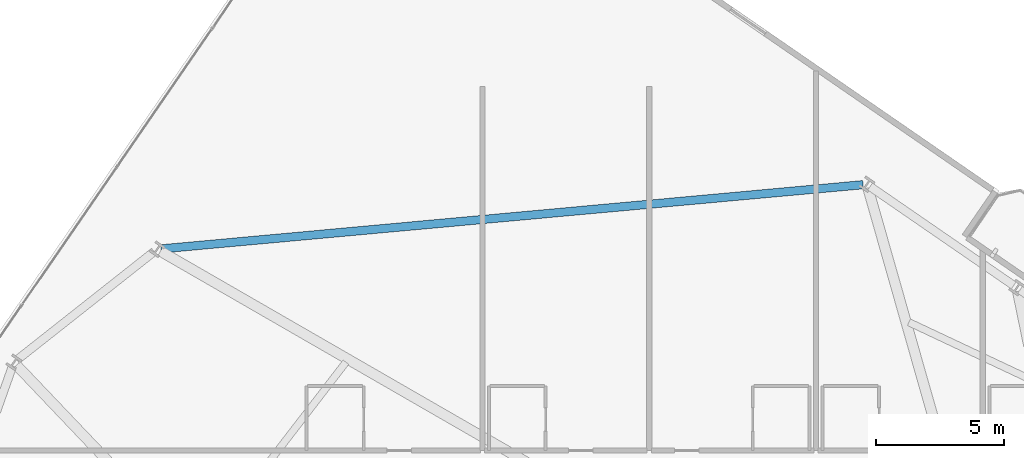
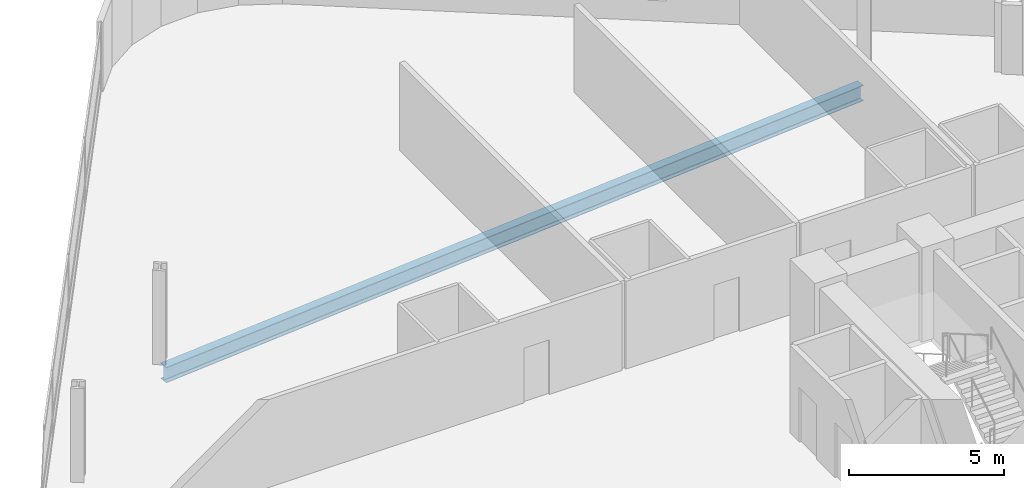
# One storey, part 16 of 27: 1 beam.
"""IFC4 building model written with IfcOpenShell, lengths in metres."""

from ifc_helpers import new_model, si_unit, direction, frame, origin, origin_2d, place, context, subcontext, project, spatial, i_section, extrude, material, material_profile, profile_set, type_object, element, save


model = new_model("IFC4")

# Units and contexts
model_context = context("Model", 3, precision=1e-05, world=origin(), true_north=direction((0.0, 1.0)))
body_context = subcontext(model_context, "Body", "Model", "MODEL_VIEW")
ifc_project = project(units=[si_unit("LENGTHUNIT", "METRE"), si_unit("AREAUNIT", "SQUARE_METRE"), si_unit("VOLUMEUNIT", "CUBIC_METRE"), si_unit("PLANEANGLEUNIT", "RADIAN"), si_unit("MASSUNIT", "GRAM", prefix="KILO")], contexts=[model_context])

# Site, building, storey
site_placement = place(None, origin())
site = spatial("IfcSite", under=ifc_project, at=site_placement, CompositionType="ELEMENT")
building_placement = place(site_placement, origin())
building = spatial("IfcBuilding", under=site, at=building_placement, Name="Varnelok Gate Tower", CompositionType="ELEMENT")
storey_placement = place(building_placement, frame((0.0, 0.0, 60.300048828125)))
storey = spatial("IfcBuildingStorey", under=building, at=storey_placement, Name="L14", CompositionType="ELEMENT", Elevation=60.300048828125)

# Beam
ifc_material = material(Name="Structural Steel ASTM A992 Grade 50", Category="steel")
ifc_material_profile = material_profile(ifc_material, i_section(OverallWidth=0.323974609375, OverallDepth=0.611083984375, WebThickness=0.0126953125, FlangeThickness=0.01904296875, FilletRadius=0.01806640625, at=origin_2d()), Name="W24X104")
ifc_profile_set = profile_set([ifc_material_profile], Name="Structural Steel ASTM A992 Grade 50")
beam_type = type_object("IfcBeamType", Name="BM-SPN-W24X104", PredefinedType="SPANDREL", material=ifc_profile_set)
beam_placement = place(storey_placement, frame((39.8359375, 52.163818359375, -0.5556640625), z_axis=(-0.995845891963, -0.091054705864, 0.0), x_axis=(0.091054705864, -0.995845891963, 0.0)))
element("IfcBeam", 1, at=beam_placement, inside=storey, type_object=beam_type, Name="L14 Perimeter Spandrel Beam 13", PredefinedType="SPANDREL", context=body_context, shape_type="SweptSolid", body=[
    extrude(i_section(OverallWidth=0.323974609375, OverallDepth=0.611083984375, WebThickness=0.0126953125, FlangeThickness=0.01904296875, FilletRadius=0.01806640625, at=origin_2d()), origin(), (0.0, 0.0, 1.0), 27.485595703125),
])

save(model, "model.ifc")
